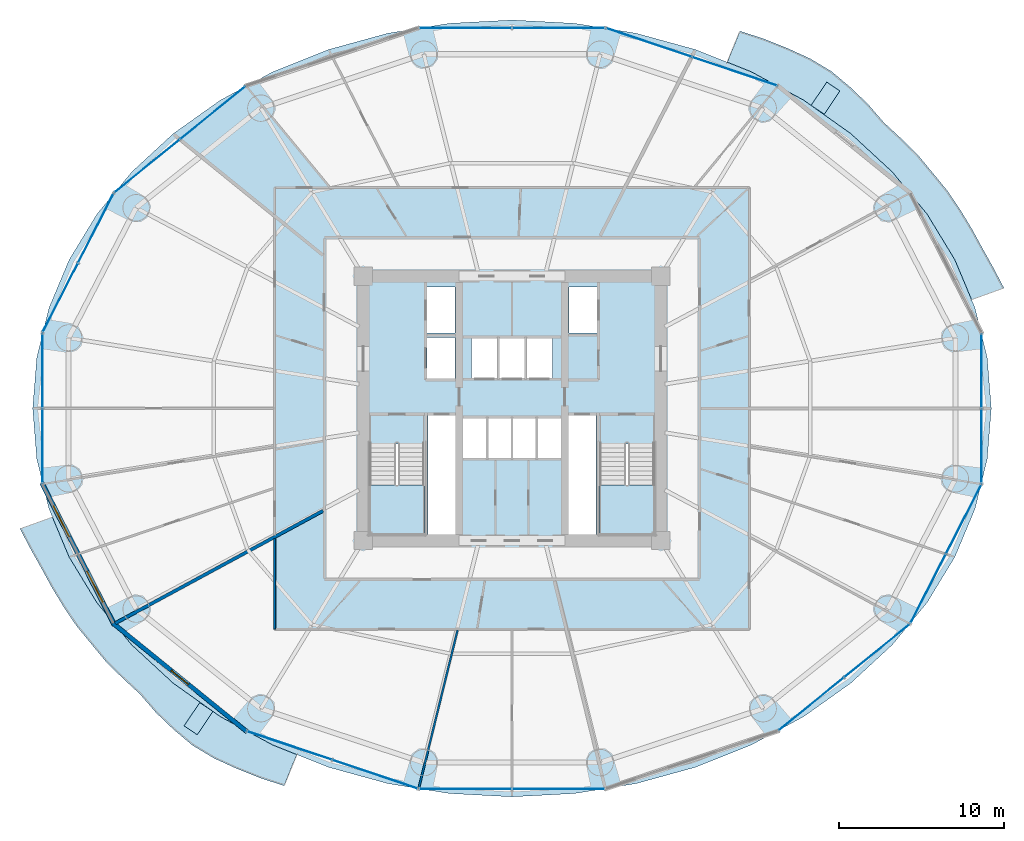
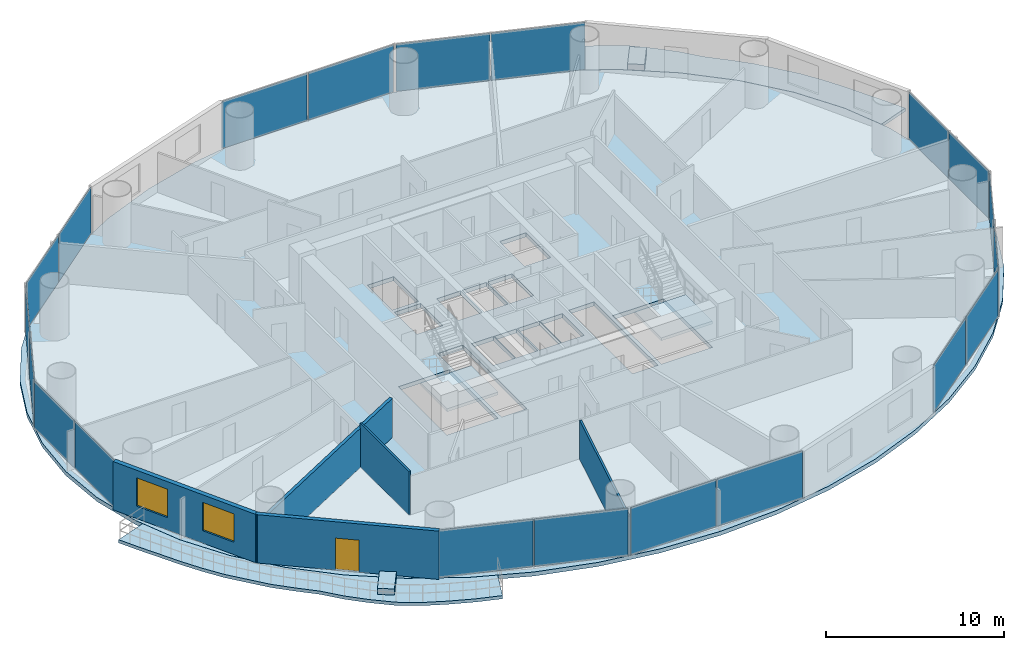
# One storey, part 21 of 29: 20 plates, 7 slabs, 5 walls, 2 windows, 1 door, 3 openings, 12 elements without a shape of their own.
"""IFC4 building model written with IfcOpenShell, lengths in metres."""

from ifc_helpers import new_model, si_unit, direction, frame, frame_2d, origin, origin_2d, place, context, subcontext, project, spatial, polyline, rectangle, outline, extrude, source, transform, mapped, material, layer, layer_set, type_object, element, fill, aggregate, save


model = new_model("IFC4")

# Units and contexts
model_context = context("Model", 3, precision=1e-05, world=origin(), true_north=direction((-0.2419218956, 0.970295726276)))
body_context = subcontext(model_context, "Body", "Model", "MODEL_VIEW")
ifc_project = project(units=[si_unit("LENGTHUNIT", "METRE"), si_unit("AREAUNIT", "SQUARE_METRE"), si_unit("VOLUMEUNIT", "CUBIC_METRE"), si_unit("PLANEANGLEUNIT", "RADIAN"), si_unit("MASSUNIT", "GRAM", prefix="KILO")], contexts=[model_context])

# Site, building, storey
site_placement = place(None, origin())
site = spatial("IfcSite", under=ifc_project, at=site_placement, CompositionType="ELEMENT")
building_placement = place(site_placement, origin())
building = spatial("IfcBuilding", under=site, at=building_placement, Name="Cobrevalo Terracotta Tower", CompositionType="ELEMENT")
storey_placement = place(building_placement, frame((0.0, 0.0, 67.199951171875)))
storey = spatial("IfcBuildingStorey", under=building, at=storey_placement, Name="L17", CompositionType="ELEMENT", Elevation=67.199951171875)

# Stair, slab
ifc_material_1 = material(Name="Concrete C50", Category="concrete")
stair_type = type_object("IfcStairType", Name="Core protected escape dogleg stair 1600", PredefinedType="HALF_TURN_STAIR", material=ifc_material_1)
stair_1_placement = place(storey_placement, origin())
stair_1 = element("IfcStair", 1, at=stair_1_placement, inside=storey, type_object=stair_type, Name="L17 Protected exit stair ST-1", PredefinedType="HALF_TURN_STAIR")
ifc_layer_1 = layer(ifc_material_1, 0.199951171875)
ifc_layer_set_1 = layer_set([ifc_layer_1], Name="Concrete C50")
slab_type_1 = type_object("IfcSlabType", Name="Reinforced Concrete Stair Landing 200", PredefinedType="LANDING", material=ifc_layer_set_1)
slab_1_placement = place(storey_placement, frame((0.0, 0.0, 1.60009765625)))
slab_1 = element("IfcSlab", 2, at=slab_1_placement, type_object=slab_type_1, Name="ST-1 landing 1", PredefinedType="LANDING", context=body_context, shape_type="SweptSolid", body=[
    extrude(outline(polyline([(29.375, 22.179931640625), (29.375, 19.175048828125), (32.695068359375, 19.175048828125), (32.695068359375, 22.179931640625), (29.375, 22.179931640625)])), origin(), (0.0, 0.0, 1.0), 0.199951171875),
])
aggregate(stair_1, [slab_1])

stair_2_placement = place(storey_placement, origin())
stair_2 = element("IfcStair", 3, at=stair_2_placement, inside=storey, type_object=stair_type, Name="L17 Protected exit stair ST-2", PredefinedType="HALF_TURN_STAIR")
slab_2_placement = place(storey_placement, frame((0.0, 0.0, 1.60009765625)))
slab_2 = element("IfcSlab", 4, at=slab_2_placement, type_object=slab_type_1, Name="ST-2 landing 1", PredefinedType="LANDING", context=body_context, shape_type="SweptSolid", body=[
    extrude(outline(polyline([(43.304931640625, 22.179931640625), (43.304931640625, 19.175048828125), (46.625, 19.175048828125), (46.625, 22.179931640625), (43.304931640625, 22.179931640625)])), origin(), (0.0, 0.0, 1.0), 0.199951171875),
])
aggregate(stair_2, [slab_2])

# Slabs
ifc_material_2 = material(Name="Concrete C45", Category="concrete")
ifc_layer_2 = layer(ifc_material_2, 0.219970703125)
ifc_layer_set_2 = layer_set([ifc_layer_2], Name="Concrete C45")
slab_type_2 = type_object("IfcSlabType", Name="Spiralling cantilevered balcony lobe slab 220 mm", PredefinedType="FLOOR", material=ifc_layer_set_2)
slab_3_placement = place(storey_placement, frame((0.0, 0.0, -0.219970703125)))
element("IfcSlab", 5, at=slab_3_placement, inside=storey, type_object=slab_type_2, Name="L17 spiralling arc balcony slab lobe 1", PredefinedType="FLOOR", context=body_context, shape_type="SweptSolid", body=[
    extrude(outline(polyline([(67.766845703125, 34.07666015625), (67.13330078125, 35.286376953125), (66.474365234375, 36.4658203125), (65.819091796875, 37.66357421875), (65.1064453125, 38.833740234375), (64.335693359375, 39.973388671875), (63.447509765625, 41.054443359375), (62.556396484375, 42.13037109375), (61.54443359375, 43.127685546875), (60.49462890625, 44.097412109375), (59.542236328125, 45.20068359375), (58.46923828125, 46.230712890625), (57.326416015625, 47.187255859375), (56.036376953125, 47.96142578125), (54.656005859375, 48.59326171875), (53.25146484375, 49.154052734375), (51.791748046875, 49.629638671875), (51.02197265625, 47.744384765625), (52.5009765625, 47.1533203125), (55.6552734375, 45.4453125), (58.507568359375, 43.41845703125), (61.0087890625, 41.107177734375), (63.116455078125, 38.551025390625), (64.79443359375, 35.7939453125), (65.808837890625, 33.371826171875), (67.766845703125, 34.07666015625)])), origin(), (0.0, 0.0, 1.0), 0.219970703125),
])
slab_4_placement = place(storey_placement, frame((0.0, 0.0, -0.219970703125)))
element("IfcSlab", 6, at=slab_4_placement, inside=storey, type_object=slab_type_2, Name="L17 spiralling arc balcony slab lobe 2", PredefinedType="FLOOR", context=body_context, shape_type="SweptSolid", body=[
    extrude(outline(polyline([(8.233154296875, 19.5234375), (8.86669921875, 18.3134765625), (9.525634765625, 17.134033203125), (10.180908203125, 15.936279296875), (10.8935546875, 14.766357421875), (11.664306640625, 13.626708984375), (12.552490234375, 12.545654296875), (13.443603515625, 11.469482421875), (14.45556640625, 10.472412109375), (15.50537109375, 9.50244140625), (16.457763671875, 8.3994140625), (17.53076171875, 7.369384765625), (18.673583984375, 6.41259765625), (19.963623046875, 5.638427734375), (21.343994140625, 5.0068359375), (22.74853515625, 4.446044921875), (24.208251953125, 3.97021484375), (24.97802734375, 5.855712890625), (23.4990234375, 6.44677734375), (20.3447265625, 8.154541015625), (17.492431640625, 10.181640625), (14.9912109375, 12.492919921875), (12.883544921875, 15.049072265625), (11.20556640625, 17.80615234375), (10.191162109375, 20.22802734375), (8.233154296875, 19.5234375)])), origin(), (0.0, 0.0, 1.0), 0.219970703125),
])
ifc_material_3 = material(Name="Precast concrete C45", Category="concrete")
ifc_layer_3 = layer(ifc_material_3, 0.419921875)
ifc_layer_set_3 = layer_set([ifc_layer_3], Name="Precast concrete C45")
slab_type_3 = type_object("IfcSlabType", Name="Structural tree planter trough base 420 mm", PredefinedType="USERDEFINED", material=ifc_layer_set_3)
slab_5_placement = place(storey_placement, origin())
element("IfcSlab", 7, at=slab_5_placement, inside=storey, type_object=slab_type_3, Name="L17 structural tree planter trough 1", ObjectType="PLANTER", PredefinedType="USERDEFINED", context=body_context, shape_type="SweptSolid", body=[
    extrude(outline(polyline([(56.892333984375, 44.597412109375), (57.84033203125, 46.008544921875), (57.043701171875, 46.5439453125), (56.095458984375, 45.1328125), (56.892333984375, 44.597412109375)])), origin(), (0.0, 0.0, 1.0), 0.420166015625),
])
slab_6_placement = place(storey_placement, origin())
element("IfcSlab", 8, at=slab_6_placement, inside=storey, type_object=slab_type_3, Name="L17 structural tree planter trough 2", ObjectType="PLANTER", PredefinedType="USERDEFINED", context=body_context, shape_type="SweptSolid", body=[
    extrude(outline(polyline([(19.107666015625, 9.00244140625), (18.15966796875, 7.591552734375), (18.956298828125, 7.05615234375), (19.904541015625, 8.467041015625), (19.107666015625, 9.00244140625)])), origin(), (0.0, 0.0, 1.0), 0.420166015625),
])
ifc_layer_4 = layer(ifc_material_1, 0.280029296875)
ifc_layer_set_4 = layer_set([ifc_layer_4], Name="Concrete C50")
slab_type_4 = type_object("IfcSlabType", Name="Zone Z1 elliptical floor plate 280 mm", PredefinedType="FLOOR", material=ifc_layer_set_4)
slab_7_placement = place(storey_placement, frame((0.0, 0.0, -0.280029296875)))
element("IfcSlab", 9, at=slab_7_placement, inside=storey, type_object=slab_type_4, Name="L17 indoor elliptical floor slab", PredefinedType="FLOOR", context=body_context, shape_type="SweptSolid", body=[
    extrude(outline(polyline([(66.751953125, 23.732666015625), (66.011962890625, 20.7177734375), (64.79248046875, 17.806884765625), (63.11474609375, 15.050048828125), (61.00732421875, 12.494140625), (58.506103515625, 10.18310546875), (55.654052734375, 8.15625), (52.5, 6.448486328125), (49.097900390625, 5.0888671875), (45.505859375, 4.100830078125), (41.78515625, 3.5009765625), (38.0, 3.300048828125), (34.21484375, 3.5009765625), (30.494140625, 4.100830078125), (26.902099609375, 5.0888671875), (23.5, 6.448486328125), (20.345947265625, 8.15625), (17.493896484375, 10.18310546875), (14.99267578125, 12.494140625), (12.88525390625, 15.050048828125), (11.20751953125, 17.806884765625), (9.988037109375, 20.7177734375), (9.248046875, 23.732666015625), (9.0, 26.800048828125), (9.248046875, 29.867431640625), (9.988037109375, 32.88232421875), (11.20751953125, 35.79296875), (12.88525390625, 38.550048828125), (14.99267578125, 41.10595703125), (17.493896484375, 43.4169921875), (20.345947265625, 45.44384765625), (23.5, 47.151611328125), (26.902099609375, 48.51123046875), (30.494140625, 49.499267578125), (34.21484375, 50.098876953125), (38.0, 50.300048828125), (41.78515625, 50.098876953125), (45.505859375, 49.499267578125), (49.097900390625, 48.51123046875), (52.5, 47.151611328125), (55.654052734375, 45.44384765625), (58.506103515625, 43.4169921875), (61.00732421875, 41.10595703125), (63.11474609375, 38.550048828125), (64.79248046875, 35.79296875), (66.011962890625, 32.88232421875), (66.751953125, 29.867431640625), (67.0, 26.800048828125), (66.751953125, 23.732666015625)]), holes=[polyline([(32.695068359375, 19.175048828125), (32.695068359375, 24.659912109375), (29.375, 24.659912109375), (29.375, 19.175048828125), (32.695068359375, 19.175048828125)]), polyline([(34.574951171875, 19.175048828125), (34.574951171875, 26.360107421875), (32.919921875, 26.360107421875), (32.919921875, 19.175048828125), (34.574951171875, 19.175048828125)]), polyline([(36.47998046875, 23.800048828125), (36.47998046875, 26.25), (35.050048828125, 26.25), (35.050048828125, 23.800048828125), (36.47998046875, 23.800048828125)]), polyline([(37.9599609375, 23.800048828125), (37.9599609375, 26.25), (36.530029296875, 26.25), (36.530029296875, 23.800048828125), (37.9599609375, 23.800048828125)]), polyline([(37.1201171875, 28.60009765625), (37.1201171875, 31.050048828125), (35.550048828125, 31.050048828125), (35.550048828125, 28.60009765625), (37.1201171875, 28.60009765625)]), polyline([(34.550048828125, 28.60009765625), (34.550048828125, 31.10009765625), (32.85009765625, 31.10009765625), (32.85009765625, 28.60009765625), (34.550048828125, 28.60009765625)]), polyline([(34.550048828125, 31.35009765625), (34.550048828125, 34.14990234375), (32.85009765625, 34.14990234375), (32.85009765625, 31.35009765625), (34.550048828125, 31.35009765625)]), polyline([(46.625, 19.175048828125), (46.625, 24.659912109375), (43.304931640625, 24.659912109375), (43.304931640625, 19.175048828125), (46.625, 19.175048828125)]), polyline([(43.080078125, 19.175048828125), (43.080078125, 26.360107421875), (41.425048828125, 26.360107421875), (41.425048828125, 19.175048828125), (43.080078125, 19.175048828125)]), polyline([(39.469970703125, 23.800048828125), (39.469970703125, 26.25), (38.0400390625, 26.25), (38.0400390625, 23.800048828125), (39.469970703125, 23.800048828125)]), polyline([(40.949951171875, 23.800048828125), (40.949951171875, 26.25), (39.52001953125, 26.25), (39.52001953125, 23.800048828125), (40.949951171875, 23.800048828125)]), polyline([(38.780029296875, 28.60009765625), (38.780029296875, 31.050048828125), (37.219970703125, 31.050048828125), (37.219970703125, 28.60009765625), (38.780029296875, 28.60009765625)]), polyline([(40.449951171875, 28.60009765625), (40.449951171875, 31.050048828125), (38.8798828125, 31.050048828125), (38.8798828125, 28.60009765625), (40.449951171875, 28.60009765625)]), polyline([(43.14990234375, 31.35009765625), (43.14990234375, 34.14990234375), (41.449951171875, 34.14990234375), (41.449951171875, 31.35009765625), (43.14990234375, 31.35009765625)])]), origin(), (0.0, 0.0, 1.0), 0.280029296875),
])

# Curtain wall, plates
ifc_material_4 = material(Name="Anodized aluminium", Category="aluminium")
curtain_wall_type = type_object("IfcCurtainWallType", Name="Lower-tower unitised acoustic low-E curtain wall CW-U1", PredefinedType="NOTDEFINED", material=ifc_material_4)
curtain_wall_1_placement = place(storey_placement, origin())
curtain_wall_1 = element("IfcCurtainWall", 10, at=curtain_wall_1_placement, inside=storey, type_object=curtain_wall_type, Name="L17 curtain wall CW-L17-S06", PredefinedType="NOTDEFINED")
ifc_material_5 = material(Name="Solar-control low-E double glazing", Category="glass")
ifc_layer_5 = layer(ifc_material_5, 0.028076171875)
ifc_layer_set_5 = layer_set([ifc_layer_5], Name="Solar-control low-E double glazing")
plate_type = type_object("IfcPlateType", Name="Tower solar-control low-E vision glass panel 28 mm", PredefinedType="CURTAIN_PANEL", material=ifc_layer_set_5)
shared_shape_1 = source(origin(), body_context, "Body", "SweptSolid", [
    extrude(rectangle(XDim=5.023193359375, YDim=0.035888671875, at=origin_2d()), origin(), (0.0, 0.0, 1.0), 3.239990234375),
])
plate_1_placement = place(storey_placement, frame((19.891357421875, 44.68310546875, 0.0400390625), z_axis=(0.0, 0.0, 1.0), x_axis=(-0.777007547884, -0.629491279154, 0.0)))
plate_1 = element("IfcPlate", 11, at=plate_1_placement, type_object=plate_type, Name="CW-L17-S06 glazing panel B01", PredefinedType="CURTAIN_PANEL", context=body_context, shape_type="MappedRepresentation", body=[
    mapped(shared_shape_1, transform((0.0, 0.0, 0.0), scale=1.0)),
])
plate_2_placement = place(storey_placement, frame((15.926025390625, 41.470703125, 0.0400390625), z_axis=(0.0, 0.0, 1.0), x_axis=(-0.777007547884, -0.629491279154, 0.0)))
plate_2 = element("IfcPlate", 12, at=plate_2_placement, type_object=plate_type, Name="CW-L17-S06 glazing panel B02", PredefinedType="CURTAIN_PANEL", context=body_context, shape_type="MappedRepresentation", body=[
    mapped(shared_shape_1, transform((0.0, 0.0, 0.0), scale=1.0)),
])
aggregate(curtain_wall_1, [plate_1, plate_2])

curtain_wall_2_placement = place(storey_placement, origin())
curtain_wall_2 = element("IfcCurtainWall", 13, at=curtain_wall_2_placement, inside=storey, type_object=curtain_wall_type, Name="L17 curtain wall CW-L17-S14", PredefinedType="NOTDEFINED")
plate_3_placement = place(storey_placement, frame((56.108642578125, 8.916748046875, 0.0400390625), z_axis=(0.0, 0.0, 1.0), x_axis=(0.777007547884, 0.629491279154, 0.0)))
plate_3 = element("IfcPlate", 14, at=plate_3_placement, type_object=plate_type, Name="CW-L17-S14 glazing panel B01", PredefinedType="CURTAIN_PANEL", context=body_context, shape_type="MappedRepresentation", body=[
    mapped(shared_shape_1, transform((0.0, 0.0, 0.0), scale=1.0)),
])
plate_4_placement = place(storey_placement, frame((60.073974609375, 12.12939453125, 0.0400390625), z_axis=(0.0, 0.0, 1.0), x_axis=(0.777007547884, 0.629491279154, 0.0)))
plate_4 = element("IfcPlate", 15, at=plate_4_placement, type_object=plate_type, Name="CW-L17-S14 glazing panel B02", PredefinedType="CURTAIN_PANEL", context=body_context, shape_type="MappedRepresentation", body=[
    mapped(shared_shape_1, transform((0.0, 0.0, 0.0), scale=1.0)),
])
aggregate(curtain_wall_2, [plate_3, plate_4])

curtain_wall_3_placement = place(storey_placement, origin())
curtain_wall_3 = element("IfcCurtainWall", 16, at=curtain_wall_3_placement, inside=storey, type_object=curtain_wall_type, Name="L17 curtain wall CW-L17-S03", PredefinedType="NOTDEFINED")
shared_shape_2 = source(origin(), body_context, "Body", "SweptSolid", [
    extrude(rectangle(XDim=5.3876953125, YDim=0.035888671875, at=origin_2d()), origin(), (0.0, 0.0, 1.0), 3.239990234375),
])
plate_5_placement = place(storey_placement, frame((51.465087890625, 47.197021484375, 0.0400390625), z_axis=(0.0, 0.0, 1.0), x_axis=(-0.948044172593, 0.318138722592, 0.0)))
plate_5 = element("IfcPlate", 17, at=plate_5_placement, type_object=plate_type, Name="CW-L17-S03 glazing panel B01", PredefinedType="CURTAIN_PANEL", context=body_context, shape_type="MappedRepresentation", body=[
    mapped(shared_shape_2, transform((0.0, 0.0, 0.0), scale=1.0)),
])
plate_6_placement = place(storey_placement, frame((46.281494140625, 48.9365234375, 0.0400390625), z_axis=(0.0, 0.0, 1.0), x_axis=(-0.948044172593, 0.318138722592, 0.0)))
plate_6 = element("IfcPlate", 18, at=plate_6_placement, type_object=plate_type, Name="CW-L17-S03 glazing panel B02", PredefinedType="CURTAIN_PANEL", context=body_context, shape_type="MappedRepresentation", body=[
    mapped(shared_shape_2, transform((0.0, 0.0, 0.0), scale=1.0)),
])
aggregate(curtain_wall_3, [plate_5, plate_6])

curtain_wall_4_placement = place(storey_placement, origin())
curtain_wall_4 = element("IfcCurtainWall", 19, at=curtain_wall_4_placement, inside=storey, type_object=curtain_wall_type, Name="L17 curtain wall CW-L17-S11", PredefinedType="NOTDEFINED")
plate_7_placement = place(storey_placement, frame((24.534912109375, 6.40283203125, 0.0400390625), z_axis=(0.0, 0.0, 1.0), x_axis=(0.948044172593, -0.318138722592, 0.0)))
plate_7 = element("IfcPlate", 20, at=plate_7_placement, type_object=plate_type, Name="CW-L17-S11 glazing panel B01", PredefinedType="CURTAIN_PANEL", context=body_context, shape_type="MappedRepresentation", body=[
    mapped(shared_shape_2, transform((0.0, 0.0, 0.0), scale=1.0)),
])
plate_8_placement = place(storey_placement, frame((29.718505859375, 4.663330078125, 0.0400390625), z_axis=(0.0, 0.0, 1.0), x_axis=(0.948044172593, -0.318138722592, 0.0)))
plate_8 = element("IfcPlate", 21, at=plate_8_placement, type_object=plate_type, Name="CW-L17-S11 glazing panel B02", PredefinedType="CURTAIN_PANEL", context=body_context, shape_type="MappedRepresentation", body=[
    mapped(shared_shape_2, transform((0.0, 0.0, 0.0), scale=1.0)),
])
aggregate(curtain_wall_4, [plate_7, plate_8])

curtain_wall_5_placement = place(storey_placement, origin())
curtain_wall_5 = element("IfcCurtainWall", 22, at=curtain_wall_5_placement, inside=storey, type_object=curtain_wall_type, Name="L17 curtain wall CW-L17-S04", PredefinedType="NOTDEFINED")
shared_shape_3 = source(origin(), body_context, "Body", "SweptSolid", [
    extrude(rectangle(XDim=5.53173828125, YDim=0.035888671875, at=origin_2d()), origin(), (0.0, 0.0, 1.0), 3.239990234375),
])
plate_9_placement = place(storey_placement, frame((40.805908203125, 49.819091796875, 0.0400390625), z_axis=(0.0, 0.0, 1.0), x_axis=(-1.0, 0.0, 0.0)))
plate_9 = element("IfcPlate", 23, at=plate_9_placement, type_object=plate_type, Name="CW-L17-S04 glazing panel B01", PredefinedType="CURTAIN_PANEL", context=body_context, shape_type="MappedRepresentation", body=[
    mapped(shared_shape_3, transform((0.0, 0.0, 0.0), scale=1.0)),
])
plate_10_placement = place(storey_placement, frame((35.194091796875, 49.819091796875, 0.0400390625), z_axis=(0.0, 0.0, 1.0), x_axis=(-1.0, 0.0, 0.0)))
plate_10 = element("IfcPlate", 24, at=plate_10_placement, type_object=plate_type, Name="CW-L17-S04 glazing panel B02", PredefinedType="CURTAIN_PANEL", context=body_context, shape_type="MappedRepresentation", body=[
    mapped(shared_shape_3, transform((0.0, 0.0, 0.0), scale=1.0)),
])
aggregate(curtain_wall_5, [plate_9, plate_10])

curtain_wall_6_placement = place(storey_placement, origin())
curtain_wall_6 = element("IfcCurtainWall", 25, at=curtain_wall_6_placement, inside=storey, type_object=curtain_wall_type, Name="L17 curtain wall CW-L17-S12", PredefinedType="NOTDEFINED")
plate_11_placement = place(storey_placement, frame((35.194091796875, 3.781005859375, 0.0400390625), z_axis=(0.0, 0.0, 1.0), x_axis=(1.0, 0.0, 0.0)))
plate_11 = element("IfcPlate", 26, at=plate_11_placement, type_object=plate_type, Name="CW-L17-S12 glazing panel B01", PredefinedType="CURTAIN_PANEL", context=body_context, shape_type="MappedRepresentation", body=[
    mapped(shared_shape_3, transform((0.0, 0.0, 0.0), scale=1.0)),
])
plate_12_placement = place(storey_placement, frame((40.805908203125, 3.781005859375, 0.0400390625), z_axis=(0.0, 0.0, 1.0), x_axis=(1.0, 0.0, 0.0)))
plate_12 = element("IfcPlate", 27, at=plate_12_placement, type_object=plate_type, Name="CW-L17-S12 glazing panel B02", PredefinedType="CURTAIN_PANEL", context=body_context, shape_type="MappedRepresentation", body=[
    mapped(shared_shape_3, transform((0.0, 0.0, 0.0), scale=1.0)),
])
aggregate(curtain_wall_6, [plate_11, plate_12])

curtain_wall_7_placement = place(storey_placement, origin())
curtain_wall_7 = element("IfcCurtainWall", 28, at=curtain_wall_7_placement, inside=storey, type_object=curtain_wall_type, Name="L17 curtain wall CW-L17-S08", PredefinedType="NOTDEFINED")
shared_shape_4 = source(origin(), body_context, "Body", "SweptSolid", [
    extrude(rectangle(XDim=4.458740234375, YDim=0.035888671875, at=origin_2d()), origin(), (0.0, 0.0, 1.0), 3.239990234375),
])
plate_13_placement = place(storey_placement, frame((9.586669921875, 29.0693359375, 0.0400390625), z_axis=(0.0, 0.0, 1.0), x_axis=(0.0, -1.0, 0.0)))
plate_13 = element("IfcPlate", 29, at=plate_13_placement, type_object=plate_type, Name="CW-L17-S08 glazing panel B01", PredefinedType="CURTAIN_PANEL", context=body_context, shape_type="MappedRepresentation", body=[
    mapped(shared_shape_4, transform((0.0, 0.0, 0.0), scale=1.0)),
])
plate_14_placement = place(storey_placement, frame((9.586669921875, 24.530517578125, 0.0400390625), z_axis=(0.0, 0.0, 1.0), x_axis=(0.0, -1.0, 0.0)))
plate_14 = element("IfcPlate", 30, at=plate_14_placement, type_object=plate_type, Name="CW-L17-S08 glazing panel B02", PredefinedType="CURTAIN_PANEL", context=body_context, shape_type="MappedRepresentation", body=[
    mapped(shared_shape_4, transform((0.0, 0.0, 0.0), scale=1.0)),
])
aggregate(curtain_wall_7, [plate_13, plate_14])

curtain_wall_8_placement = place(storey_placement, origin())
curtain_wall_8 = element("IfcCurtainWall", 31, at=curtain_wall_8_placement, inside=storey, type_object=curtain_wall_type, Name="L17 curtain wall CW-L17-S16", PredefinedType="NOTDEFINED")
plate_15_placement = place(storey_placement, frame((66.413330078125, 24.530517578125, 0.0400390625), z_axis=(0.0, 0.0, 1.0), x_axis=(0.0, 1.0, 0.0)))
plate_15 = element("IfcPlate", 32, at=plate_15_placement, type_object=plate_type, Name="CW-L17-S16 glazing panel B01", PredefinedType="CURTAIN_PANEL", context=body_context, shape_type="MappedRepresentation", body=[
    mapped(shared_shape_4, transform((0.0, 0.0, 0.0), scale=1.0)),
])
plate_16_placement = place(storey_placement, frame((66.413330078125, 29.0693359375, 0.0400390625), z_axis=(0.0, 0.0, 1.0), x_axis=(0.0, 1.0, 0.0)))
plate_16 = element("IfcPlate", 33, at=plate_16_placement, type_object=plate_type, Name="CW-L17-S16 glazing panel B02", PredefinedType="CURTAIN_PANEL", context=body_context, shape_type="MappedRepresentation", body=[
    mapped(shared_shape_4, transform((0.0, 0.0, 0.0), scale=1.0)),
])
aggregate(curtain_wall_8, [plate_15, plate_16])

curtain_wall_9_placement = place(storey_placement, origin())
curtain_wall_9 = element("IfcCurtainWall", 34, at=curtain_wall_9_placement, inside=storey, type_object=curtain_wall_type, Name="L17 curtain wall CW-L17-S07", PredefinedType="NOTDEFINED")
shared_shape_5 = source(origin(), body_context, "Body", "SweptSolid", [
    extrude(rectangle(XDim=4.631103515625, YDim=0.035888671875, at=origin_2d()), origin(), (0.0, 0.0, 1.0), 3.239990234375),
])
plate_17_placement = place(storey_placement, frame((12.82177734375, 37.706298828125, 0.0400390625), z_axis=(0.0, 0.0, 1.0), x_axis=(-0.45523102861, -0.890373354605, 0.0)))
plate_17 = element("IfcPlate", 35, at=plate_17_placement, type_object=plate_type, Name="CW-L17-S07 glazing panel B01", PredefinedType="CURTAIN_PANEL", context=body_context, shape_type="MappedRepresentation", body=[
    mapped(shared_shape_5, transform((0.0, 0.0, 0.0), scale=1.0)),
])
plate_18_placement = place(storey_placement, frame((10.67724609375, 33.51171875, 0.0400390625), z_axis=(0.0, 0.0, 1.0), x_axis=(-0.45523102861, -0.890373354605, 0.0)))
plate_18 = element("IfcPlate", 36, at=plate_18_placement, type_object=plate_type, Name="CW-L17-S07 glazing panel B02", PredefinedType="CURTAIN_PANEL", context=body_context, shape_type="MappedRepresentation", body=[
    mapped(shared_shape_5, transform((0.0, 0.0, 0.0), scale=1.0)),
])
aggregate(curtain_wall_9, [plate_17, plate_18])

curtain_wall_10_placement = place(storey_placement, origin())
curtain_wall_10 = element("IfcCurtainWall", 37, at=curtain_wall_10_placement, inside=storey, type_object=curtain_wall_type, Name="L17 curtain wall CW-L17-S15", PredefinedType="NOTDEFINED")
plate_19_placement = place(storey_placement, frame((63.17822265625, 15.893798828125, 0.0400390625), z_axis=(0.0, 0.0, 1.0), x_axis=(0.45523102861, 0.890373354605, 0.0)))
plate_19 = element("IfcPlate", 38, at=plate_19_placement, type_object=plate_type, Name="CW-L17-S15 glazing panel B01", PredefinedType="CURTAIN_PANEL", context=body_context, shape_type="MappedRepresentation", body=[
    mapped(shared_shape_5, transform((0.0, 0.0, 0.0), scale=1.0)),
])
plate_20_placement = place(storey_placement, frame((65.32275390625, 20.08837890625, 0.0400390625), z_axis=(0.0, 0.0, 1.0), x_axis=(0.45523102861, 0.890373354605, 0.0)))
plate_20 = element("IfcPlate", 39, at=plate_20_placement, type_object=plate_type, Name="CW-L17-S15 glazing panel B02", PredefinedType="CURTAIN_PANEL", context=body_context, shape_type="MappedRepresentation", body=[
    mapped(shared_shape_5, transform((0.0, 0.0, 0.0), scale=1.0)),
])
aggregate(curtain_wall_10, [plate_19, plate_20])

# Wall
ifc_material_6 = material(Name="Autoclaved aerated concrete block", Category="concrete")
ifc_layer_6 = layer(ifc_material_6, 0.199951171875)
ifc_layer_set_6 = layer_set([ifc_layer_6], Name="Autoclaved aerated concrete block")
wall_type_1 = type_object("IfcWallType", Name="Fire-rated stair, shaft & demising masonry wall 200 mm", PredefinedType="PARTITIONING", material=ifc_layer_set_6)
wall_1_placement = place(storey_placement, frame((26.56494140625, 20.6083984375, 0.0), z_axis=(0.0, 0.0, 1.0), x_axis=(-0.879369737803, -0.476139542819, 0.0)))
element("IfcWall", 40, at=wall_1_placement, inside=storey, type_object=wall_type_1, Name="L17 interior partition IW-L17-DEM-4", PredefinedType="PARTITIONING", context=body_context, shape_type="SweptSolid", body=[
    extrude(rectangle(XDim=14.294921875, YDim=0.199951171875, at=frame_2d((7.1474609375, 0.0))), origin(), (0.0, 0.0, 1.0), 2.68798828125),
])

# Wall, openings, windows
ifc_layer_7 = layer(ifc_material_6, 0.280029296875)
ifc_layer_set_7 = layer_set([ifc_layer_7], Name="Autoclaved aerated concrete block")
wall_type_2 = type_object("IfcWallType", Name="Insulated tower spandrel & pier wall 280 mm with terracotta rainscreen", PredefinedType="SOLIDWALL", material=ifc_layer_set_7)
wall_2_placement = place(storey_placement, frame((9.55029296875, 22.29248046875, 0.0), z_axis=(0.0, 0.0, 1.0), x_axis=(0.455220575541, -0.890378698984, 0.0)))
wall_2 = element("IfcWall", 41, at=wall_2_placement, inside=storey, type_object=wall_type_2, Name="L17 terracotta rainscreen pier wall S09", PredefinedType="SOLIDWALL", context=body_context, shape_type="SweptSolid", body=[
    extrude(rectangle(XDim=9.662109375, YDim=0.280029296875, at=frame_2d((4.8310546875, 0.0))), origin(), (0.0, 0.0, 1.0), 3.320068359375),
])
opening_1_placement = place(wall_2_placement, frame((1.558837890625, 0.0, 0.85009765625)))
opening_1 = element("IfcOpeningElement", 42, at=opening_1_placement, cuts=wall_2, Name="Opening WN-10", PredefinedType="OPENING", context=body_context, shape_type="SweptSolid", body=[
    extrude(rectangle(XDim=2.10009765625, YDim=1.949951171875, at=frame_2d((1.050048828125, 0.97509765625))), frame((0.0, 0.14990234375, 0.0), z_axis=(0.0, -1.0, 0.0), x_axis=(1.0, 0.0, 0.0)), (0.0, 0.0, 1.0), 0.300048828125),
])
opening_2_placement = place(wall_2_placement, frame((6.00341796875, 0.0, 0.85009765625)))
opening_2 = element("IfcOpeningElement", 43, at=opening_2_placement, cuts=wall_2, Name="Opening WN-10", PredefinedType="OPENING", context=body_context, shape_type="SweptSolid", body=[
    extrude(rectangle(XDim=2.10009765625, YDim=1.949951171875, at=frame_2d((1.050048828125, 0.97509765625))), frame((0.0, 0.14990234375, 0.0), z_axis=(0.0, -1.0, 0.0), x_axis=(1.0, 0.0, 0.0)), (0.0, 0.0, 1.0), 0.300048828125),
])
window_type = type_object("IfcWindowType", Name="Wide panoramic low-E aluminium window 2100x1950", PartitioningType="SINGLE_PANEL", PredefinedType="WINDOW", material=ifc_material_5)
shared_shape_6 = source(origin(), body_context, "Body", "SweptSolid", [
    extrude(rectangle(XDim=2.10009765625, YDim=1.949951171875, at=frame_2d((1.050048828125, 0.97509765625))), frame((0.0, 0.030029296875, 0.0), z_axis=(0.0, -1.0, 0.0), x_axis=(1.0, 0.0, 0.0)), (0.0, 0.0, 1.0), 0.06005859375),
])
window_1_placement = place(opening_1_placement, origin())
window_1 = element("IfcWindow", 44, at=window_1_placement, inside=storey, type_object=window_type, Name="L17 suite window S09A", OverallHeight=1.949951171875, OverallWidth=2.10009765625, PartitioningType="SINGLE_PANEL", PredefinedType="WINDOW", context=body_context, shape_type="MappedRepresentation", body=[
    mapped(shared_shape_6, transform((0.0, 0.0, 0.0), scale=1.0)),
])
fill(opening_1, window_1)
window_2_placement = place(opening_2_placement, origin())
window_2 = element("IfcWindow", 45, at=window_2_placement, inside=storey, type_object=window_type, Name="L17 suite window S09B", OverallHeight=1.949951171875, OverallWidth=2.10009765625, PartitioningType="SINGLE_PANEL", PredefinedType="WINDOW", context=body_context, shape_type="MappedRepresentation", body=[
    mapped(shared_shape_6, transform((0.0, 0.0, 0.0), scale=1.0)),
])
fill(opening_2, window_2)

# Wall, opening, door
ifc_layer_8 = layer(ifc_material_6, 0.260009765625)
ifc_layer_set_8 = layer_set([ifc_layer_8], Name="Autoclaved aerated concrete block")
wall_type_3 = type_object("IfcWallType", Name="Recessed balcony loggia insulated exterior wall 260 mm", PredefinedType="SOLIDWALL", material=ifc_layer_set_8)
wall_3_placement = place(storey_placement, frame((13.85009765625, 13.81103515625, 0.0), z_axis=(0.0, 0.0, 1.0), x_axis=(0.777016782851, -0.629479879875, 0.0)))
wall_3 = element("IfcWall", 46, at=wall_3_placement, inside=storey, type_object=wall_type_3, Name="L17 balcony loggia wall S10", PredefinedType="SOLIDWALL", context=body_context, shape_type="SweptSolid", body=[
    extrude(rectangle(XDim=10.446533203125, YDim=0.260009765625, at=frame_2d((5.22314453125, 0.0))), origin(), (0.0, 0.0, 1.0), 3.320068359375),
])
opening_3_placement = place(wall_3_placement, frame((4.54833984375, 0.0, 0.0)))
opening_3 = element("IfcOpeningElement", 47, at=opening_3_placement, cuts=wall_3, Name="Opening ED-05", PredefinedType="OPENING", context=body_context, shape_type="SweptSolid", body=[
    extrude(rectangle(XDim=1.35009765625, YDim=2.199951171875, at=frame_2d((0.675048828125, 1.10009765625))), frame((0.0, 0.14013671875, 0.0), z_axis=(0.0, -1.0, 0.0), x_axis=(1.0, 0.0, 0.0)), (0.0, 0.0, 1.0), 0.280029296875),
])
ifc_material_7 = material(Name="Anodized aluminium and laminated glass", Category="aluminium")
door_type = type_object("IfcDoorType", Name="Suite balcony acoustic glazed terrace door 1350x2200", OperationType="NOTDEFINED", PredefinedType="DOOR", material=ifc_material_7)
shared_shape_7 = source(origin(), body_context, "Body", "SweptSolid", [
    extrude(rectangle(XDim=1.35009765625, YDim=2.199951171875, at=frame_2d((0.675048828125, 1.10009765625))), frame((0.0, 0.02490234375, 0.0), z_axis=(0.0, -1.0, 0.0), x_axis=(1.0, 0.0, 0.0)), (0.0, 0.0, 1.0), 0.050048828125),
])
door_placement = place(opening_3_placement, frame((1.35009765625, 0.0, 0.0), z_axis=(0.0, 0.0, 1.0), x_axis=(-1.0, 0.0, 0.0)))
door = element("IfcDoor", 48, at=door_placement, inside=storey, type_object=door_type, Name="L17 glazed balcony terrace door 2", OperationType="SINGLE_SWING_RIGHT", OverallHeight=2.199951171875, OverallWidth=1.35009765625, PredefinedType="DOOR", context=body_context, shape_type="MappedRepresentation", body=[
    mapped(shared_shape_7, transform((0.0, 0.0, 0.0), scale=1.0)),
])
fill(opening_3, door)

# Walls
ifc_material_8 = material(Name="Gypsum board on steel stud", Category="steel")
ifc_layer_9 = layer(ifc_material_8, 0.1201171875)
ifc_layer_set_9 = layer_set([ifc_layer_9], Name="Gypsum board on steel stud")
wall_type_4 = type_object("IfcWallType", Name="Residential internal acoustic stud partition 120 mm", PredefinedType="PARTITIONING", material=ifc_layer_set_9)
wall_4_placement = place(storey_placement, frame((23.64501953125, 13.445068359375, 0.0), z_axis=(0.0, 0.0, 1.0), x_axis=(0.0, 1.0, 0.0)))
element("IfcWall", 49, at=wall_4_placement, inside=storey, type_object=wall_type_4, Name="L17 interior partition IW-L17-U4-RING1_0", PredefinedType="PARTITIONING", context=body_context, shape_type="SweptSolid", body=[
    extrude(rectangle(XDim=5.480224609375, YDim=0.1201171875, at=frame_2d((2.740234375, 0.0))), origin(), (0.0, 0.0, 1.0), 2.9990234375),
])
wall_5_placement = place(storey_placement, frame((34.70703125, 13.384765625, 0.0), z_axis=(0.0, 0.0, 1.0), x_axis=(-0.238386763388, -0.971170299711, 0.0)))
element("IfcWall", 50, at=wall_5_placement, inside=storey, type_object=wall_type_4, Name="L17 interior partition IW-L17-U4-ORAD1", PredefinedType="PARTITIONING", context=body_context, shape_type="SweptSolid", body=[
    extrude(rectangle(XDim=9.80810546875, YDim=0.1201171875, at=frame_2d((4.904052734375, 0.0))), origin(), (0.0, 0.0, 1.0), 2.68798828125),
])

save(model, "model.ifc")
